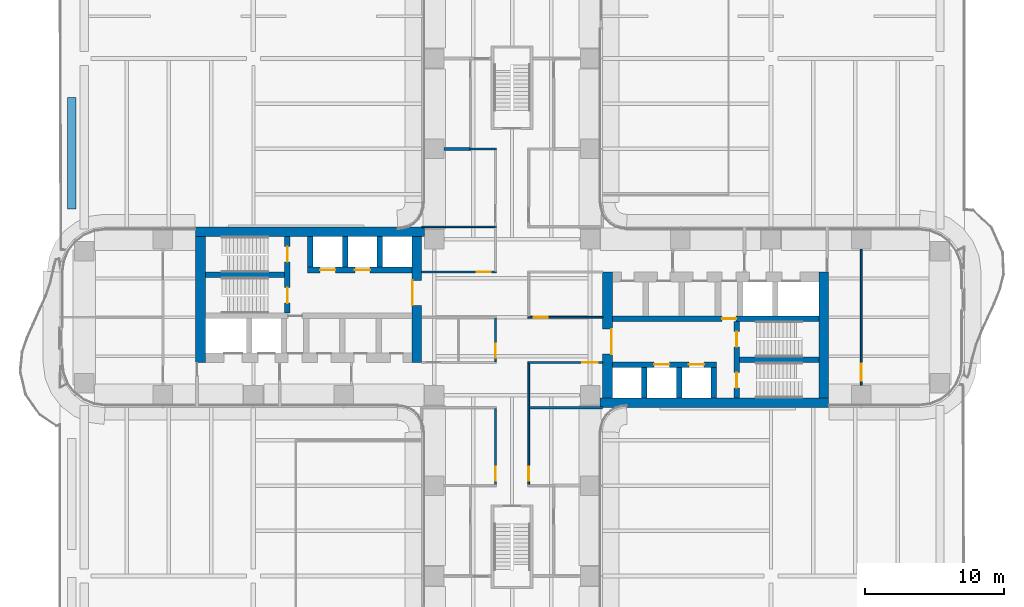
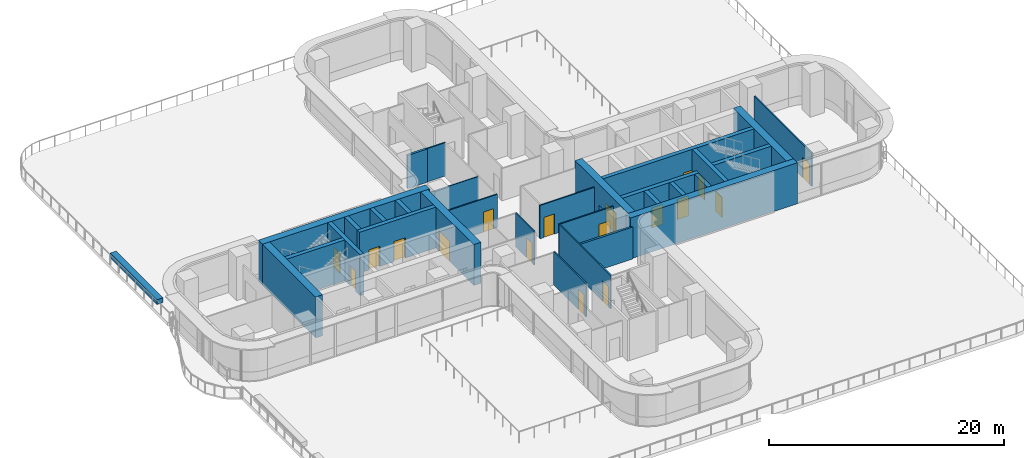
# One storey, part 22 of 29: 31 walls, 18 doors, 18 openings.
"""IFC4 building model written with IfcOpenShell, lengths in metres."""

from ifc_helpers import new_model, si_unit, direction, frame, frame_2d, origin, place, context, subcontext, project, spatial, polyline, rectangle, outline, extrude, source, transform, mapped, material, layer, layer_set, type_object, element, fill, save


model = new_model("IFC4")

# Units and contexts
model_context = context("Model", 3, precision=1e-05, world=origin(), true_north=direction((0.0, 1.0)))
body_context = subcontext(model_context, "Body", "Model", "MODEL_VIEW")
ifc_project = project(units=[si_unit("LENGTHUNIT", "METRE"), si_unit("AREAUNIT", "SQUARE_METRE"), si_unit("VOLUMEUNIT", "CUBIC_METRE"), si_unit("PLANEANGLEUNIT", "RADIAN"), si_unit("MASSUNIT", "GRAM", prefix="KILO")], contexts=[model_context])

# Site, building, storey
site_placement = place(None, origin())
site = spatial("IfcSite", under=ifc_project, at=site_placement, CompositionType="ELEMENT")
building_placement = place(site_placement, origin())
building = spatial("IfcBuilding", under=site, at=building_placement, Name="Trellis Farm Tower", CompositionType="ELEMENT")
storey_placement = place(building_placement, frame((0.0, 0.0, 34.0)))
storey = spatial("IfcBuildingStorey", under=building, at=storey_placement, Name="L06", CompositionType="ELEMENT", Elevation=34.0)

# Wall
ifc_material_1 = material(Name="Sandstone faced masonry planter", Category="masonry")
ifc_layer_1 = layer(ifc_material_1, 0.60009765625)
ifc_layer_set_1 = layer_set([ifc_layer_1], Name="PLANTER BED 600")
wall_type_1 = type_object("IfcWallType", Name="PLANTER BED 600", PredefinedType="USERDEFINED", material=ifc_layer_set_1)
wall_1_placement = place(storey_placement, origin())
element("IfcWall", 1, at=wall_1_placement, inside=storey, type_object=wall_type_1, Name="PLANTER bed", ObjectType="PLANTER", PredefinedType="USERDEFINED", context=body_context, shape_type="SweptSolid", body=[
    extrude(outline(polyline([(-31.35009765625, 15.800048828125), (-31.35009765625, 7.800048828125), (-31.949951171875, 7.800048828125), (-31.949951171875, 15.800048828125), (-31.35009765625, 15.800048828125)])), origin(), (0.0, 0.0, 1.0), 0.5),
])

# Wall, opening, door
ifc_material_2 = material(Name="Concrete C80/95", Category="concrete")
ifc_layer_2 = layer(ifc_material_2, 0.699951171875)
ifc_layer_set_2 = layer_set([ifc_layer_2], Name="CORE OUTER WALL 700 CONCRETE C80/95")
wall_type_2 = type_object("IfcWallType", Name="CORE OUTER WALL 700 CONCRETE C80/95", PredefinedType="SHEAR", material=ifc_layer_set_2)
shared_shape_1 = source(origin(), body_context, "Body", "SweptSolid", [
    extrude(rectangle(XDim=9.050048828125, YDim=0.699951171875, at=frame_2d((4.52490234375, 0.0))), origin(), (0.0, 0.0, 1.0), 4.25),
])
wall_2_placement = place(storey_placement, frame((6.85009765625, -5.800048828125, 0.0), z_axis=(0.0, 0.0, 1.0), x_axis=(0.0, 1.0, 0.0)))
wall_2 = element("IfcWall", 2, at=wall_2_placement, inside=storey, type_object=wall_type_2, Name="Core wall", PredefinedType="SHEAR", context=body_context, shape_type="MappedRepresentation", body=[
    mapped(shared_shape_1, transform((0.0, 0.0, 0.0))),
])
shared_shape_2 = source(origin(), body_context, "Body", "SweptSolid", [
    extrude(rectangle(XDim=1.800048828125, YDim=2.10009765625, at=frame_2d((0.89990234375, 1.050048828125))), frame((0.0, 0.360107421875, 0.0), z_axis=(0.0, -1.0, 0.0), x_axis=(1.0, 0.0, 0.0)), (0.0, 0.0, 1.0), 0.72021484375),
])
opening_1_placement = place(wall_2_placement, frame((3.14990234375, 0.0, 0.0)))
opening_1 = element("IfcOpeningElement", 3, at=opening_1_placement, cuts=wall_2, Name="Opening DC1", PredefinedType="OPENING", context=body_context, shape_type="MappedRepresentation", body=[
    mapped(shared_shape_2, transform((0.0, 0.0, 0.0))),
])
ifc_material_3 = material(Name="Steel", Category="steel")
door_type_1 = type_object("IfcDoorType", Name="CORE FIRE DOOR DOUBLE 1800 X 2100", OperationType="DOUBLE_DOOR_SINGLE_SWING", PredefinedType="DOOR", material=ifc_material_3)
shared_shape_3 = source(origin(), body_context, "Body", "SweptSolid", [
    extrude(rectangle(XDim=1.800048828125, YDim=2.10009765625, at=frame_2d((0.89990234375, 1.050048828125))), frame((0.0, -0.27490234375, 0.0), z_axis=(0.0, -1.0, 0.0), x_axis=(1.0, 0.0, 0.0)), (0.0, 0.0, 1.0), 0.050048828125),
])
door_1_placement = place(opening_1_placement, origin())
door_1 = element("IfcDoor", 4, at=door_1_placement, inside=storey, type_object=door_type_1, Name="Core door", OperationType="DOUBLE_DOOR_SINGLE_SWING", OverallHeight=2.10009765625, OverallWidth=1.800048828125, PredefinedType="DOOR", context=body_context, shape_type="MappedRepresentation", body=[
    mapped(shared_shape_3, transform((0.0, 0.0, 0.0))),
])
fill(opening_1, door_1)

# Wall
wall_3_placement = place(storey_placement, frame((22.39990234375, -5.800048828125, 0.0), z_axis=(0.0, 0.0, 1.0), x_axis=(0.0, 1.0, 0.0)))
element("IfcWall", 5, at=wall_3_placement, inside=storey, type_object=wall_type_2, Name="Core wall", PredefinedType="SHEAR", context=body_context, shape_type="MappedRepresentation", body=[
    mapped(shared_shape_1, transform((0.0, 0.0, 0.0))),
])

# Wall, opening, door
wall_4_placement = place(storey_placement, frame((-6.85009765625, 5.800048828125, 0.0), z_axis=(0.0, 0.0, 1.0), x_axis=(0.0, -1.0, 0.0)))
wall_4 = element("IfcWall", 6, at=wall_4_placement, inside=storey, type_object=wall_type_2, Name="Core wall", PredefinedType="SHEAR", context=body_context, shape_type="MappedRepresentation", body=[
    mapped(shared_shape_1, transform((0.0, 0.0, 0.0))),
])
opening_2_placement = place(wall_4_placement, frame((3.14990234375, 0.0, 0.0)))
opening_2 = element("IfcOpeningElement", 7, at=opening_2_placement, cuts=wall_4, Name="Opening DC87", PredefinedType="OPENING", context=body_context, shape_type="MappedRepresentation", body=[
    mapped(shared_shape_2, transform((0.0, 0.0, 0.0))),
])
door_2_placement = place(opening_2_placement, origin())
door_2 = element("IfcDoor", 8, at=door_2_placement, inside=storey, type_object=door_type_1, Name="Core door", OperationType="DOUBLE_DOOR_SINGLE_SWING", OverallHeight=2.10009765625, OverallWidth=1.800048828125, PredefinedType="DOOR", context=body_context, shape_type="MappedRepresentation", body=[
    mapped(shared_shape_3, transform((0.0, 0.0, 0.0))),
])
fill(opening_2, door_2)

# Walls
wall_5_placement = place(storey_placement, frame((-22.39990234375, 5.800048828125, 0.0), z_axis=(0.0, 0.0, 1.0), x_axis=(0.0, -1.0, 0.0)))
element("IfcWall", 9, at=wall_5_placement, inside=storey, type_object=wall_type_2, Name="Core wall", PredefinedType="SHEAR", context=body_context, shape_type="MappedRepresentation", body=[
    mapped(shared_shape_1, transform((0.0, 0.0, 0.0))),
])
ifc_layer_3 = layer(ifc_material_2, 0.39990234375)
ifc_layer_set_3 = layer_set([ifc_layer_3], Name="CORE INNER WALL 400 CONCRETE C80/95")
wall_type_3 = type_object("IfcWallType", Name="CORE INNER WALL 400 CONCRETE C80/95", PredefinedType="SHEAR", material=ifc_layer_set_3)
shared_shape_4 = source(origin(), body_context, "Body", "SweptSolid", [
    extrude(rectangle(XDim=2.199951171875, YDim=0.39990234375, at=frame_2d((1.10009765625, 0.0))), origin(), (0.0, 0.0, 1.0), 4.25),
])
for number, where, z_axis, x_axis, name in (
    (10, (9.5, -5.800048828125, 0.0), (0.0, 0.0, 1.0), (0.0, 1.0, 0.0), "Core wall"),
    (11, (12.0, -5.800048828125, 0.0), (0.0, 0.0, 1.0), (0.0, 1.0, 0.0), "Core wall"),
    (12, (14.5, -5.800048828125, 0.0), (0.0, 0.0, 1.0), (0.0, 1.0, 0.0), "Core wall"),
    (13, (-9.5, 5.800048828125, 0.0), (0.0, 0.0, 1.0), (0.0, -1.0, 0.0), "Core wall"),
    (14, (-12.0, 5.800048828125, 0.0), (0.0, 0.0, 1.0), (0.0, -1.0, 0.0), "Core wall"),
    (15, (-14.5, 5.800048828125, 0.0), (0.0, 0.0, 1.0), (0.0, -1.0, 0.0), "Core wall"),
):
    element("IfcWall", number, at=place(storey_placement, frame(where, z_axis=z_axis, x_axis=x_axis)), inside=storey, type_object=wall_type_3, Name=name, PredefinedType="SHEAR", context=body_context, shape_type="MappedRepresentation", body=[
        mapped(shared_shape_4, transform((0.0, 0.0, 0.0))),
    ])
shared_shape_5 = source(origin(), body_context, "Body", "SweptSolid", [
    extrude(rectangle(XDim=16.449951171875, YDim=0.699951171875, at=frame_2d((8.22509765625, 0.0))), origin(), (0.0, 0.0, 1.0), 4.25),
])
for number, where, z_axis, x_axis, name in (
    (16, (6.300048828125, -6.14990234375, 0.0), (0.0, 0.0, 1.0), (1.0, 0.0, 0.0), "Core wall"),
    (17, (-6.300048828125, 6.14990234375, 0.0), (0.0, 0.0, 1.0), (-1.0, 0.0, 0.0), "Core wall"),
):
    element("IfcWall", number, at=place(storey_placement, frame(where, z_axis=z_axis, x_axis=x_axis)), inside=storey, type_object=wall_type_2, Name=name, PredefinedType="SHEAR", context=body_context, shape_type="MappedRepresentation", body=[
        mapped(shared_shape_5, transform((0.0, 0.0, 0.0))),
    ])

# Wall, openings, doors
shared_shape_6 = source(origin(), body_context, "Body", "SweptSolid", [
    extrude(rectangle(XDim=7.5, YDim=0.39990234375, at=frame_2d((3.75, 0.0))), origin(), (0.0, 0.0, 1.0), 4.25),
])
wall_6_placement = place(storey_placement, frame((7.199951171875, -3.39990234375, 0.0), z_axis=(0.0, 0.0, 1.0), x_axis=(1.0, 0.0, 0.0)))
wall_6 = element("IfcWall", 18, at=wall_6_placement, inside=storey, type_object=wall_type_3, Name="Core wall", PredefinedType="SHEAR", context=body_context, shape_type="MappedRepresentation", body=[
    mapped(shared_shape_6, transform((0.0, 0.0, 0.0))),
])
shared_shape_7 = source(origin(), body_context, "Body", "SweptSolid", [
    extrude(rectangle(XDim=1.10009765625, YDim=2.10009765625, at=frame_2d((0.550048828125, 1.050048828125))), frame((0.0, 0.2099609375, 0.0), z_axis=(0.0, -1.0, 0.0), x_axis=(1.0, 0.0, 0.0)), (0.0, 0.0, 1.0), 0.419921875),
])
opening_3_placement = place(wall_6_placement, frame((3.0, 0.0, 0.0)))
opening_3 = element("IfcOpeningElement", 19, at=opening_3_placement, cuts=wall_6, Name="Opening LD2", PredefinedType="OPENING", context=body_context, shape_type="MappedRepresentation", body=[
    mapped(shared_shape_7, transform((0.0, 0.0, 0.0))),
])
opening_4_placement = place(wall_6_placement, frame((5.5, 0.0, 0.0)))
opening_4 = element("IfcOpeningElement", 20, at=opening_4_placement, cuts=wall_6, Name="Opening LD3", PredefinedType="OPENING", context=body_context, shape_type="MappedRepresentation", body=[
    mapped(shared_shape_7, transform((0.0, 0.0, 0.0))),
])
ifc_material_4 = material(Name="Stainless steel", Category="steel")
door_type_2 = type_object("IfcDoorType", Name="LIFT LANDING DOOR 1100 X 2100", OperationType="DOUBLE_DOOR_SLIDING", PredefinedType="DOOR", material=ifc_material_4)
shared_shape_8 = source(origin(), body_context, "Body", "SweptSolid", [
    extrude(rectangle(XDim=1.10009765625, YDim=2.10009765625, at=frame_2d((0.550048828125, 1.050048828125))), frame((0.0, 0.02490234375, 0.0), z_axis=(0.0, -1.0, 0.0), x_axis=(1.0, 0.0, 0.0)), (0.0, 0.0, 1.0), 0.050048828125),
])
door_3_placement = place(opening_3_placement, origin())
door_3 = element("IfcDoor", 21, at=door_3_placement, inside=storey, type_object=door_type_2, Name="Lift landing door", OperationType="DOUBLE_DOOR_SLIDING", OverallHeight=2.10009765625, OverallWidth=1.10009765625, PredefinedType="DOOR", context=body_context, shape_type="MappedRepresentation", body=[
    mapped(shared_shape_8, transform((0.0, 0.0, 0.0))),
])
fill(opening_3, door_3)
door_4_placement = place(opening_4_placement, origin())
door_4 = element("IfcDoor", 22, at=door_4_placement, inside=storey, type_object=door_type_2, Name="Lift landing door", OperationType="DOUBLE_DOOR_SLIDING", OverallHeight=2.10009765625, OverallWidth=1.10009765625, PredefinedType="DOOR", context=body_context, shape_type="MappedRepresentation", body=[
    mapped(shared_shape_8, transform((0.0, 0.0, 0.0))),
])
fill(opening_4, door_4)

wall_7_placement = place(storey_placement, frame((-7.199951171875, 3.39990234375, 0.0), z_axis=(0.0, 0.0, 1.0), x_axis=(-1.0, 0.0, 0.0)))
wall_7 = element("IfcWall", 23, at=wall_7_placement, inside=storey, type_object=wall_type_3, Name="Core wall", PredefinedType="SHEAR", context=body_context, shape_type="MappedRepresentation", body=[
    mapped(shared_shape_6, transform((0.0, 0.0, 0.0))),
])
opening_5_placement = place(wall_7_placement, frame((3.0, 0.0, 0.0)))
opening_5 = element("IfcOpeningElement", 24, at=opening_5_placement, cuts=wall_7, Name="Opening LD10", PredefinedType="OPENING", context=body_context, shape_type="MappedRepresentation", body=[
    mapped(shared_shape_7, transform((0.0, 0.0, 0.0))),
])
opening_6_placement = place(wall_7_placement, frame((5.5, 0.0, 0.0)))
opening_6 = element("IfcOpeningElement", 25, at=opening_6_placement, cuts=wall_7, Name="Opening LD11", PredefinedType="OPENING", context=body_context, shape_type="MappedRepresentation", body=[
    mapped(shared_shape_7, transform((0.0, 0.0, 0.0))),
])
door_5_placement = place(opening_5_placement, origin())
door_5 = element("IfcDoor", 26, at=door_5_placement, inside=storey, type_object=door_type_2, Name="Lift landing door", OperationType="DOUBLE_DOOR_SLIDING", OverallHeight=2.10009765625, OverallWidth=1.10009765625, PredefinedType="DOOR", context=body_context, shape_type="MappedRepresentation", body=[
    mapped(shared_shape_8, transform((0.0, 0.0, 0.0))),
])
fill(opening_5, door_5)
door_6_placement = place(opening_6_placement, origin())
door_6 = element("IfcDoor", 27, at=door_6_placement, inside=storey, type_object=door_type_2, Name="Lift landing door", OperationType="DOUBLE_DOOR_SLIDING", OverallHeight=2.10009765625, OverallWidth=1.10009765625, PredefinedType="DOOR", context=body_context, shape_type="MappedRepresentation", body=[
    mapped(shared_shape_8, transform((0.0, 0.0, 0.0))),
])
fill(opening_6, door_6)

# Wall, opening, door
shared_shape_9 = source(origin(), body_context, "Body", "SweptSolid", [
    extrude(rectangle(XDim=14.85009765625, YDim=0.39990234375, at=frame_2d((7.425048828125, 0.0))), origin(), (0.0, 0.0, 1.0), 4.25),
])
wall_8_placement = place(storey_placement, frame((7.199951171875, -0.10009765625, 0.0), z_axis=(0.0, 0.0, 1.0), x_axis=(1.0, 0.0, 0.0)))
wall_8 = element("IfcWall", 28, at=wall_8_placement, inside=storey, type_object=wall_type_3, Name="Core wall", PredefinedType="SHEAR", context=body_context, shape_type="MappedRepresentation", body=[
    mapped(shared_shape_9, transform((0.0, 0.0, 0.0))),
])
shared_shape_10 = source(origin(), body_context, "Body", "SweptSolid", [
    extrude(rectangle(XDim=1.0, YDim=2.10009765625, at=frame_2d((0.5, 1.050048828125))), frame((0.0, 0.2099609375, 0.0), z_axis=(0.0, -1.0, 0.0), x_axis=(1.0, 0.0, 0.0)), (0.0, 0.0, 1.0), 0.419921875),
])
opening_7_placement = place(wall_8_placement, frame((7.89990234375, 0.0, 0.0)))
opening_7 = element("IfcOpeningElement", 29, at=opening_7_placement, cuts=wall_8, Name="Opening DC5", PredefinedType="OPENING", context=body_context, shape_type="MappedRepresentation", body=[
    mapped(shared_shape_10, transform((0.0, 0.0, 0.0))),
])
door_type_3 = type_object("IfcDoorType", Name="CORE FIRE DOOR 1000 X 2100", OperationType="NOTDEFINED", PredefinedType="DOOR", material=ifc_material_3)
shared_shape_11 = source(origin(), body_context, "Body", "SweptSolid", [
    extrude(rectangle(XDim=1.0, YDim=2.10009765625, at=frame_2d((0.5, 1.050048828125))), frame((0.0, 0.02490234375, 0.0), z_axis=(0.0, -1.0, 0.0), x_axis=(1.0, 0.0, 0.0)), (0.0, 0.0, 1.0), 0.050048828125),
])
door_7_placement = place(opening_7_placement, origin())
door_7 = element("IfcDoor", 30, at=door_7_placement, inside=storey, type_object=door_type_3, Name="Core door", OperationType="SINGLE_SWING_RIGHT", OverallHeight=2.10009765625, OverallWidth=1.0, PredefinedType="DOOR", context=body_context, shape_type="MappedRepresentation", body=[
    mapped(shared_shape_11, transform((0.0, 0.0, 0.0))),
])
fill(opening_7, door_7)

# Wall, openings, doors
shared_shape_12 = source(origin(), body_context, "Body", "SweptSolid", [
    extrude(rectangle(XDim=5.5, YDim=0.39990234375, at=frame_2d((2.75, 0.0))), origin(), (0.0, 0.0, 1.0), 4.25),
])
wall_9_placement = place(storey_placement, frame((16.14990234375, -5.800048828125, 0.0), z_axis=(0.0, 0.0, 1.0), x_axis=(0.0, 1.0, 0.0)))
wall_9 = element("IfcWall", 31, at=wall_9_placement, inside=storey, type_object=wall_type_3, Name="Core wall", PredefinedType="SHEAR", context=body_context, shape_type="MappedRepresentation", body=[
    mapped(shared_shape_12, transform((0.0, 0.0, 0.0))),
])
opening_8_placement = place(wall_9_placement, frame((0.72509765625, 0.0, 0.0)))
opening_8 = element("IfcOpeningElement", 32, at=opening_8_placement, cuts=wall_9, Name="Opening DC2", PredefinedType="OPENING", context=body_context, shape_type="MappedRepresentation", body=[
    mapped(shared_shape_7, transform((0.0, 0.0, 0.0))),
])
opening_9_placement = place(wall_9_placement, frame((3.675048828125, 0.0, 0.0)))
opening_9 = element("IfcOpeningElement", 33, at=opening_9_placement, cuts=wall_9, Name="Opening DC3", PredefinedType="OPENING", context=body_context, shape_type="MappedRepresentation", body=[
    mapped(shared_shape_7, transform((0.0, 0.0, 0.0))),
])
door_type_4 = type_object("IfcDoorType", Name="CORE FIRE DOOR 1100 X 2100", OperationType="NOTDEFINED", PredefinedType="DOOR", material=ifc_material_3)
door_8_placement = place(opening_8_placement, origin())
door_8 = element("IfcDoor", 34, at=door_8_placement, inside=storey, type_object=door_type_4, Name="Core door", OperationType="SINGLE_SWING_RIGHT", OverallHeight=2.10009765625, OverallWidth=1.10009765625, PredefinedType="DOOR", context=body_context, shape_type="MappedRepresentation", body=[
    mapped(shared_shape_8, transform((0.0, 0.0, 0.0))),
])
fill(opening_8, door_8)
door_9_placement = place(opening_9_placement, origin())
door_9 = element("IfcDoor", 35, at=door_9_placement, inside=storey, type_object=door_type_4, Name="Core door", OperationType="SINGLE_SWING_LEFT", OverallHeight=2.10009765625, OverallWidth=1.10009765625, PredefinedType="DOOR", context=body_context, shape_type="MappedRepresentation", body=[
    mapped(shared_shape_8, transform((0.0, 0.0, 0.0))),
])
fill(opening_9, door_9)

wall_10_placement = place(storey_placement, frame((-16.14990234375, 5.800048828125, 0.0), z_axis=(0.0, 0.0, 1.0), x_axis=(0.0, -1.0, 0.0)))
wall_10 = element("IfcWall", 36, at=wall_10_placement, inside=storey, type_object=wall_type_3, Name="Core wall", PredefinedType="SHEAR", context=body_context, shape_type="MappedRepresentation", body=[
    mapped(shared_shape_12, transform((0.0, 0.0, 0.0))),
])
opening_10_placement = place(wall_10_placement, frame((0.72509765625, 0.0, 0.0)))
opening_10 = element("IfcOpeningElement", 37, at=opening_10_placement, cuts=wall_10, Name="Opening DC88", PredefinedType="OPENING", context=body_context, shape_type="MappedRepresentation", body=[
    mapped(shared_shape_7, transform((0.0, 0.0, 0.0))),
])
opening_11_placement = place(wall_10_placement, frame((3.675048828125, 0.0, 0.0)))
opening_11 = element("IfcOpeningElement", 38, at=opening_11_placement, cuts=wall_10, Name="Opening DC89", PredefinedType="OPENING", context=body_context, shape_type="MappedRepresentation", body=[
    mapped(shared_shape_7, transform((0.0, 0.0, 0.0))),
])
door_10_placement = place(opening_10_placement, origin())
door_10 = element("IfcDoor", 39, at=door_10_placement, inside=storey, type_object=door_type_4, Name="Core door", OperationType="SINGLE_SWING_RIGHT", OverallHeight=2.10009765625, OverallWidth=1.10009765625, PredefinedType="DOOR", context=body_context, shape_type="MappedRepresentation", body=[
    mapped(shared_shape_8, transform((0.0, 0.0, 0.0))),
])
fill(opening_10, door_10)
door_11_placement = place(opening_11_placement, origin())
door_11 = element("IfcDoor", 40, at=door_11_placement, inside=storey, type_object=door_type_4, Name="Core door", OperationType="SINGLE_SWING_LEFT", OverallHeight=2.10009765625, OverallWidth=1.10009765625, PredefinedType="DOOR", context=body_context, shape_type="MappedRepresentation", body=[
    mapped(shared_shape_8, transform((0.0, 0.0, 0.0))),
])
fill(opening_11, door_11)

# Walls
shared_shape_13 = source(origin(), body_context, "Body", "SweptSolid", [
    extrude(rectangle(XDim=5.699951171875, YDim=0.39990234375, at=frame_2d((2.85009765625, 0.0))), origin(), (0.0, 0.0, 1.0), 4.25),
])
for number, where, z_axis, x_axis, name in (
    (41, (16.35009765625, -3.050048828125, 0.0), (0.0, 0.0, 1.0), (1.0, 0.0, 0.0), "Core wall"),
    (42, (-16.35009765625, 3.050048828125, 0.0), (0.0, 0.0, 1.0), (-1.0, 0.0, 0.0), "Core wall"),
):
    element("IfcWall", number, at=place(storey_placement, frame(where, z_axis=z_axis, x_axis=x_axis)), inside=storey, type_object=wall_type_3, Name=name, PredefinedType="SHEAR", context=body_context, shape_type="MappedRepresentation", body=[
        mapped(shared_shape_13, transform((0.0, 0.0, 0.0))),
    ])

# Wall, opening, door
ifc_material_5 = material(Name="Plasterboard on steel studs, mineral wool", Category="steel")
ifc_layer_4 = layer(ifc_material_5, 0.125)
ifc_layer_set_4 = layer_set([ifc_layer_4], Name="PARTITION 125 STUD EI 60")
wall_type_4 = type_object("IfcWallType", Name="PARTITION 125 STUD EI 60", PredefinedType="PARTITIONING", material=ifc_layer_set_4)
shared_shape_14 = source(origin(), body_context, "Body", "SweptSolid", [
    extrude(rectangle(XDim=3.125, YDim=0.125, at=frame_2d((1.5625, 0.0))), origin(), (0.0, 0.0, 1.0), 3.54638671875),
])
wall_11_placement = place(storey_placement, frame((-1.199951171875, -0.0625, 0.0), z_axis=(0.0, 0.0, 1.0), x_axis=(0.0, -1.0, 0.0)))
wall_11 = element("IfcWall", 43, at=wall_11_placement, inside=storey, type_object=wall_type_4, Name="Partition PW1", PredefinedType="PARTITIONING", context=body_context, shape_type="MappedRepresentation", body=[
    mapped(shared_shape_14, transform((0.0, 0.0, 0.0))),
])
shared_shape_15 = source(origin(), body_context, "Body", "SweptSolid", [
    extrude(rectangle(XDim=1.0, YDim=2.10009765625, at=frame_2d((0.5, 1.050048828125))), frame((0.0, 0.072509765625, 0.0), z_axis=(0.0, -1.0, 0.0), x_axis=(1.0, 0.0, 0.0)), (0.0, 0.0, 1.0), 0.14501953125),
])
opening_12_placement = place(wall_11_placement, frame((1.83740234375, 0.0, 0.0)))
opening_12 = element("IfcOpeningElement", 44, at=opening_12_placement, cuts=wall_11, Name="Opening D107", PredefinedType="OPENING", context=body_context, shape_type="MappedRepresentation", body=[
    mapped(shared_shape_15, transform((0.0, 0.0, 0.0))),
])
ifc_material_6 = material(Name="Fire-rated timber door leaf in a hollow metal frame", Category="wood")
door_type_5 = type_object("IfcDoorType", Name="DOOR 1000x2100 FD30S", OperationType="NOTDEFINED", PredefinedType="DOOR", material=ifc_material_6)
door_12_placement = place(opening_12_placement, origin())
door_12 = element("IfcDoor", 45, at=door_12_placement, inside=storey, type_object=door_type_5, Name="Door D107", OperationType="SINGLE_SWING_RIGHT", OverallHeight=2.10009765625, OverallWidth=1.0, PredefinedType="DOOR", context=body_context, shape_type="MappedRepresentation", body=[
    mapped(shared_shape_11, transform((0.0, 0.0, 0.0))),
])
fill(opening_12, door_12)

shared_shape_16 = source(origin(), body_context, "Body", "SweptSolid", [
    extrude(rectangle(XDim=5.47509765625, YDim=0.125, at=frame_2d((2.737548828125, 0.0))), origin(), (0.0, 0.0, 1.0), 3.4677734375),
])
wall_12_placement = place(storey_placement, frame((-1.199951171875, -12.03759765625, 0.0), z_axis=(0.0, 0.0, 1.0), x_axis=(0.0, 1.0, 0.0)))
wall_12 = element("IfcWall", 46, at=wall_12_placement, inside=storey, type_object=wall_type_4, Name="Partition PW1", PredefinedType="PARTITIONING", context=body_context, shape_type="MappedRepresentation", body=[
    mapped(shared_shape_16, transform((0.0, 0.0, 0.0))),
])
opening_13_placement = place(wall_12_placement, frame((0.28759765625, 0.0, 0.0)))
opening_13 = element("IfcOpeningElement", 47, at=opening_13_placement, cuts=wall_12, Name="Opening D104", PredefinedType="OPENING", context=body_context, shape_type="MappedRepresentation", body=[
    mapped(shared_shape_15, transform((0.0, 0.0, 0.0))),
])
door_13_placement = place(opening_13_placement, origin())
door_13 = element("IfcDoor", 48, at=door_13_placement, inside=storey, type_object=door_type_5, Name="Door D104", OperationType="SINGLE_SWING_LEFT", OverallHeight=2.10009765625, OverallWidth=1.0, PredefinedType="DOOR", context=body_context, shape_type="MappedRepresentation", body=[
    mapped(shared_shape_11, transform((0.0, 0.0, 0.0))),
])
fill(opening_13, door_13)

shared_shape_17 = source(origin(), body_context, "Body", "SweptSolid", [
    extrude(rectangle(XDim=9.7998046875, YDim=0.125, at=frame_2d((4.89990234375, 0.0))), origin(), (0.0, 0.0, 1.0), 3.4677734375),
])
wall_13_placement = place(storey_placement, frame((25.10009765625, 4.89990234375, 0.0), z_axis=(0.0, 0.0, 1.0), x_axis=(0.0, -1.0, 0.0)))
wall_13 = element("IfcWall", 49, at=wall_13_placement, inside=storey, type_object=wall_type_4, Name="Partition PW1", PredefinedType="PARTITIONING", context=body_context, shape_type="MappedRepresentation", body=[
    mapped(shared_shape_17, transform((0.0, 0.0, 0.0))),
])
shared_shape_18 = source(origin(), body_context, "Body", "SweptSolid", [
    extrude(rectangle(XDim=1.199951171875, YDim=2.10009765625, at=frame_2d((0.60009765625, 1.050048828125))), frame((0.0, 0.072509765625, 0.0), z_axis=(0.0, -1.0, 0.0), x_axis=(1.0, 0.0, 0.0)), (0.0, 0.0, 1.0), 0.14501953125),
])
opening_14_placement = place(wall_13_placement, frame((8.25, 0.0, 0.0)))
opening_14 = element("IfcOpeningElement", 50, at=opening_14_placement, cuts=wall_13, Name="Opening D601", PredefinedType="OPENING", context=body_context, shape_type="MappedRepresentation", body=[
    mapped(shared_shape_18, transform((0.0, 0.0, 0.0))),
])
door_type_6 = type_object("IfcDoorType", Name="DOOR 1200x2100 FD30S", OperationType="NOTDEFINED", PredefinedType="DOOR", material=ifc_material_6)
shared_shape_19 = source(origin(), body_context, "Body", "SweptSolid", [
    extrude(rectangle(XDim=1.199951171875, YDim=2.10009765625, at=frame_2d((0.60009765625, 1.050048828125))), frame((0.0, 0.02490234375, 0.0), z_axis=(0.0, -1.0, 0.0), x_axis=(1.0, 0.0, 0.0)), (0.0, 0.0, 1.0), 0.050048828125),
])
door_14_placement = place(opening_14_placement, origin())
door_14 = element("IfcDoor", 51, at=door_14_placement, inside=storey, type_object=door_type_6, Name="Door D601", OperationType="SINGLE_SWING_RIGHT", OverallHeight=2.10009765625, OverallWidth=1.199951171875, PredefinedType="DOOR", context=body_context, shape_type="MappedRepresentation", body=[
    mapped(shared_shape_19, transform((0.0, 0.0, 0.0))),
])
fill(opening_14, door_14)

# Wall
shared_shape_20 = source(origin(), body_context, "Body", "SweptSolid", [
    extrude(rectangle(XDim=1.925048828125, YDim=0.125, at=frame_2d((0.96240234375, 0.0))), origin(), (0.0, 0.0, 1.0), 3.4677734375),
])
wall_14_placement = place(storey_placement, frame((-1.137451171875, 12.10009765625, 0.0), z_axis=(0.0, 0.0, 1.0), x_axis=(-1.0, 0.0, 0.0)))
element("IfcWall", 52, at=wall_14_placement, inside=storey, type_object=wall_type_4, Name="Partition PW1", PredefinedType="PARTITIONING", context=body_context, shape_type="MappedRepresentation", body=[
    mapped(shared_shape_20, transform((0.0, 0.0, 0.0))),
])

# Wall, opening, door
shared_shape_21 = source(origin(), body_context, "Body", "SweptSolid", [
    extrude(rectangle(XDim=5.362548828125, YDim=0.125, at=frame_2d((2.68115234375, 0.0))), origin(), (0.0, 0.0, 1.0), 3.4677734375),
])
wall_15_placement = place(storey_placement, frame((6.5, -3.25, 0.0), z_axis=(0.0, 0.0, 1.0), x_axis=(-1.0, 0.0, 0.0)))
wall_15 = element("IfcWall", 53, at=wall_15_placement, inside=storey, type_object=wall_type_4, Name="Partition PW1", PredefinedType="PARTITIONING", context=body_context, shape_type="MappedRepresentation", body=[
    mapped(shared_shape_21, transform((0.0, 0.0, 0.0))),
])
shared_shape_22 = source(origin(), body_context, "Body", "SweptSolid", [
    extrude(rectangle(XDim=1.10009765625, YDim=2.10009765625, at=frame_2d((0.550048828125, 1.050048828125))), frame((0.0, 0.072509765625, 0.0), z_axis=(0.0, -1.0, 0.0), x_axis=(1.0, 0.0, 0.0)), (0.0, 0.0, 1.0), 0.14501953125),
])
opening_15_placement = place(wall_15_placement, frame((0.35009765625, 0.0, 0.0)))
opening_15 = element("IfcOpeningElement", 54, at=opening_15_placement, cuts=wall_15, Name="Opening D501", PredefinedType="OPENING", context=body_context, shape_type="MappedRepresentation", body=[
    mapped(shared_shape_22, transform((0.0, 0.0, 0.0))),
])
door_type_7 = type_object("IfcDoorType", Name="DOOR 1100x2100 FD30S", OperationType="NOTDEFINED", PredefinedType="DOOR", material=ifc_material_6)
door_15_placement = place(opening_15_placement, origin())
door_15 = element("IfcDoor", 55, at=door_15_placement, inside=storey, type_object=door_type_7, Name="Door D501", OperationType="SINGLE_SWING_LEFT", OverallHeight=2.10009765625, OverallWidth=1.10009765625, PredefinedType="DOOR", context=body_context, shape_type="MappedRepresentation", body=[
    mapped(shared_shape_8, transform((0.0, 0.0, 0.0))),
])
fill(opening_15, door_15)

wall_16_placement = place(storey_placement, frame((6.5, 0.0, 0.0), z_axis=(0.0, 0.0, 1.0), x_axis=(-1.0, 0.0, 0.0)))
wall_16 = element("IfcWall", 56, at=wall_16_placement, inside=storey, type_object=wall_type_4, Name="Partition PW1", PredefinedType="PARTITIONING", context=body_context, shape_type="MappedRepresentation", body=[
    mapped(shared_shape_21, transform((0.0, 0.0, 0.0))),
])
opening_16_placement = place(wall_16_placement, frame((3.949951171875, 0.0, 0.0)))
opening_16 = element("IfcOpeningElement", 57, at=opening_16_placement, cuts=wall_16, Name="Opening D108", PredefinedType="OPENING", context=body_context, shape_type="MappedRepresentation", body=[
    mapped(shared_shape_15, transform((0.0, 0.0, 0.0))),
])
door_16_placement = place(opening_16_placement, origin())
door_16 = element("IfcDoor", 58, at=door_16_placement, inside=storey, type_object=door_type_5, Name="Door D108", OperationType="SINGLE_SWING_RIGHT", OverallHeight=2.10009765625, OverallWidth=1.0, PredefinedType="DOOR", context=body_context, shape_type="MappedRepresentation", body=[
    mapped(shared_shape_11, transform((0.0, 0.0, 0.0))),
])
fill(opening_16, door_16)

wall_17_placement = place(storey_placement, frame((-6.5, 3.25, 0.0), z_axis=(0.0, 0.0, 1.0), x_axis=(1.0, 0.0, 0.0)))
wall_17 = element("IfcWall", 59, at=wall_17_placement, inside=storey, type_object=wall_type_4, Name="Partition PW1", PredefinedType="PARTITIONING", context=body_context, shape_type="MappedRepresentation", body=[
    mapped(shared_shape_21, transform((0.0, 0.0, 0.0))),
])
opening_17_placement = place(wall_17_placement, frame((3.949951171875, 0.0, 0.0)))
opening_17 = element("IfcOpeningElement", 60, at=opening_17_placement, cuts=wall_17, Name="Opening D109", PredefinedType="OPENING", context=body_context, shape_type="MappedRepresentation", body=[
    mapped(shared_shape_15, transform((0.0, 0.0, 0.0))),
])
door_17_placement = place(opening_17_placement, origin())
door_17 = element("IfcDoor", 61, at=door_17_placement, inside=storey, type_object=door_type_5, Name="Door D109", OperationType="SINGLE_SWING_RIGHT", OverallHeight=2.10009765625, OverallWidth=1.0, PredefinedType="DOOR", context=body_context, shape_type="MappedRepresentation", body=[
    mapped(shared_shape_11, transform((0.0, 0.0, 0.0))),
])
fill(opening_17, door_17)

# Wall
ifc_material_7 = material(Name="Lightweight blockwork, plastered", Category="masonry")
ifc_layer_5 = layer(ifc_material_7, 0.199951171875)
ifc_layer_set_5 = layer_set([ifc_layer_5], Name="BLOCK WALL 200 EI 120")
wall_type_5 = type_object("IfcWallType", Name="BLOCK WALL 200 EI 120", PredefinedType="PARTITIONING", material=ifc_layer_set_5)
shared_shape_23 = source(origin(), body_context, "Body", "SweptSolid", [
    extrude(rectangle(XDim=1.96240234375, YDim=0.199951171875, at=frame_2d((0.981201171875, 0.0))), origin(), (0.0, 0.0, 1.0), 3.4677734375),
])
wall_18_placement = place(storey_placement, frame((-4.89990234375, 12.10009765625, 0.0), z_axis=(0.0, 0.0, 1.0), x_axis=(1.0, 0.0, 0.0)))
element("IfcWall", 62, at=wall_18_placement, inside=storey, type_object=wall_type_5, Name="Partition PW3", PredefinedType="PARTITIONING", context=body_context, shape_type="MappedRepresentation", body=[
    mapped(shared_shape_23, transform((0.0, 0.0, 0.0))),
])

# Wall, opening, door
shared_shape_24 = source(origin(), body_context, "Body", "SweptSolid", [
    extrude(rectangle(XDim=8.72509765625, YDim=0.125, at=frame_2d((4.362548828125, 0.0))), origin(), (0.0, 0.0, 1.0), 3.4677734375),
])
wall_19_placement = place(storey_placement, frame((1.199951171875, -3.3125, 0.0), z_axis=(0.0, 0.0, 1.0), x_axis=(0.0, -1.0, 0.0)))
wall_19 = element("IfcWall", 63, at=wall_19_placement, inside=storey, type_object=wall_type_4, Name="Partition PW1", PredefinedType="PARTITIONING", context=body_context, shape_type="MappedRepresentation", body=[
    mapped(shared_shape_24, transform((0.0, 0.0, 0.0))),
])
opening_18_placement = place(wall_19_placement, frame((7.4375, 0.0, 0.0)))
opening_18 = element("IfcOpeningElement", 64, at=opening_18_placement, cuts=wall_19, Name="Opening D301", PredefinedType="OPENING", context=body_context, shape_type="MappedRepresentation", body=[
    mapped(shared_shape_15, transform((0.0, 0.0, 0.0))),
])
door_type_8 = type_object("IfcDoorType", Name="DOOR 1000x2100 FD60", OperationType="NOTDEFINED", PredefinedType="DOOR", material=ifc_material_6)
door_18_placement = place(opening_18_placement, origin())
door_18 = element("IfcDoor", 65, at=door_18_placement, inside=storey, type_object=door_type_8, Name="Door D301", OperationType="SINGLE_SWING_RIGHT", OverallHeight=2.10009765625, OverallWidth=1.0, PredefinedType="DOOR", context=body_context, shape_type="MappedRepresentation", body=[
    mapped(shared_shape_11, transform((0.0, 0.0, 0.0))),
])
fill(opening_18, door_18)

# Walls
shared_shape_25 = source(origin(), body_context, "Body", "SweptSolid", [
    extrude(rectangle(XDim=5.237548828125, YDim=0.199951171875, at=frame_2d((2.61865234375, 0.0))), origin(), (0.0, 0.0, 1.0), 3.330078125),
])
wall_20_placement = place(storey_placement, frame((1.262451171875, -6.5, 0.0), z_axis=(0.0, 0.0, 1.0), x_axis=(1.0, 0.0, 0.0)))
element("IfcWall", 66, at=wall_20_placement, inside=storey, type_object=wall_type_5, Name="Partition PW3", PredefinedType="PARTITIONING", context=body_context, shape_type="MappedRepresentation", body=[
    mapped(shared_shape_25, transform((0.0, 0.0, 0.0))),
])
ifc_material_8 = material(Name="Plasterboard on steel studs", Category="steel")
ifc_layer_6 = layer(ifc_material_8, 0.10009765625)
ifc_layer_set_6 = layer_set([ifc_layer_6], Name="PARTITION 100 STUD EI 30")
wall_type_6 = type_object("IfcWallType", Name="PARTITION 100 STUD EI 30", PredefinedType="PARTITIONING", material=ifc_layer_set_6)
shared_shape_26 = source(origin(), body_context, "Body", "SweptSolid", [
    extrude(rectangle(XDim=5.362548828125, YDim=0.10009765625, at=frame_2d((2.68115234375, 0.0))), origin(), (0.0, 0.0, 1.0), 3.330078125),
])
wall_21_placement = place(storey_placement, frame((-6.5, 6.5, 0.0), z_axis=(0.0, 0.0, 1.0), x_axis=(1.0, 0.0, 0.0)))
element("IfcWall", 67, at=wall_21_placement, inside=storey, type_object=wall_type_6, Name="Partition PW2", PredefinedType="PARTITIONING", context=body_context, shape_type="MappedRepresentation", body=[
    mapped(shared_shape_26, transform((0.0, 0.0, 0.0))),
])

save(model, "model.ifc")
